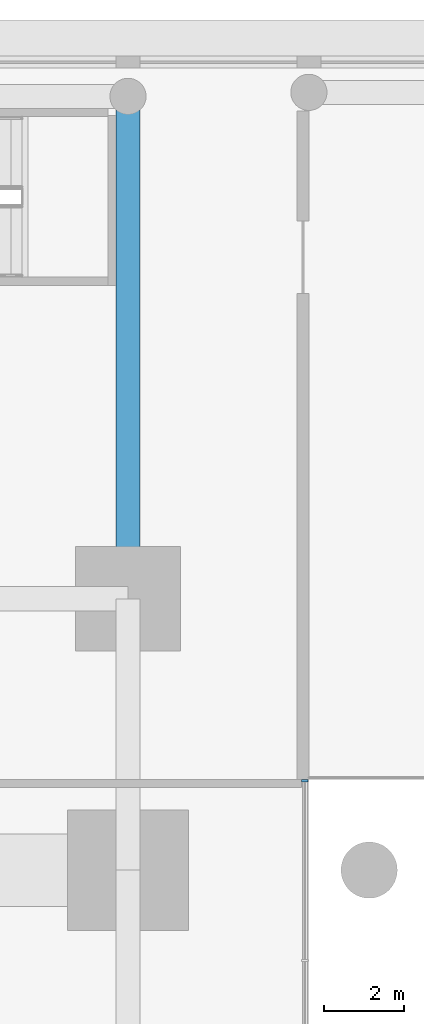
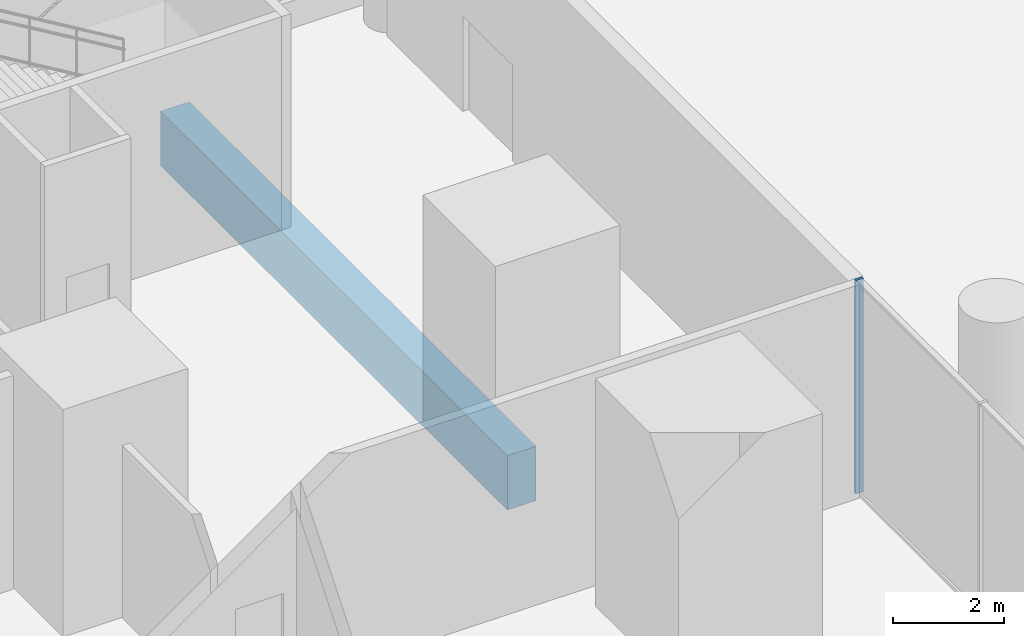
# One storey, part 5 of 21: 1 beam, 1 member, 1 element without a shape of its own.
"""IFC4 building model written with IfcOpenShell, lengths in metres."""

import ifcopenshell
import ifcopenshell.guid

model = None  # the IFC model being written
_history = None  # IfcOwnerHistory: only IFC2X3 demands one
_inside = {}  # id of a spatial element -> (the spatial element, [elements in it])
_under = {}  # id of a project, library or spatial element -> (it, [spatial elements below it])
_declared = {}  # id of a project -> (the project, [libraries it declares])
_typed = {}  # id of a type object -> (the type object, [elements of that type])
_made_of = {}  # id of a material, layer set ... -> (it, [elements and type objects made of it])


def new_model(schema):
    """Start an empty IFC model of exactly this schema.

    Asked for "IFC4X3", IfcOpenShell would pick the latest addendum, in which some entities
    have other attributes; the version numbers below select the first issue.
    IFC2X3 requires an IfcOwnerHistory on every rooted entity: one is made here for all.
    """
    global model, _history
    if schema == "IFC4X3":
        model = ifcopenshell.file(schema_version=(4, 3, 0, 0))
    else:
        model = ifcopenshell.file(schema=schema)
    _inside.clear()
    _under.clear()
    _declared.clear()
    _typed.clear()
    _made_of.clear()
    _history = None
    if model.schema == "IFC2X3":
        org = make("IfcOrganization", Name="unknown")
        user = make(
            "IfcPersonAndOrganization",
            ThePerson=make("IfcPerson", FamilyName="unknown"),
            TheOrganization=org,
        )
        app = make(
            "IfcApplication",
            ApplicationDeveloper=org,
            Version="unknown",
            ApplicationFullName="unknown",
            ApplicationIdentifier="unknown",
        )
        _history = make(
            "IfcOwnerHistory",
            OwningUser=user,
            OwningApplication=app,
            ChangeAction="ADDED",
            CreationDate=0,
        )
    return model


def make(cls, **values):
    """One entity of the class cls with the attributes given. An attribute that is None is left unset."""
    return model.create_entity(
        cls, **{name: value for name, value in values.items() if value is not None}
    )


def rooted(cls, **values):
    """An entity with a GlobalId (a new one), such as an element, a storey or a relation."""
    return make(cls, GlobalId=ifcopenshell.guid.new(), OwnerHistory=_history, **values)


def si_unit(unit_type, name, prefix=None):
    """IfcSIUnit, for example si_unit("LENGTHUNIT", "METRE", prefix="MILLI")."""
    return make("IfcSIUnit", UnitType=unit_type, Prefix=prefix, Name=name)


def assignment(units):
    """IfcUnitAssignment: the units of a project."""
    return None if units is None else make("IfcUnitAssignment", Units=units)


def point(xyz):
    """IfcCartesianPoint."""
    return None if xyz is None else make("IfcCartesianPoint", Coordinates=xyz)


def direction(xyz):
    """IfcDirection."""
    return None if xyz is None else make("IfcDirection", DirectionRatios=xyz)


def frame(location, z_axis=None, x_axis=None):
    """IfcAxis2Placement3D, a coordinate frame: its origin and axes. An axis left out is left unset."""
    return make(
        "IfcAxis2Placement3D",
        Location=point(location),
        Axis=direction(z_axis),
        RefDirection=direction(x_axis),
    )


def frame_2d(location, x_axis=None):
    """IfcAxis2Placement2D, a coordinate frame in the plane: its origin and x axis."""
    return make(
        "IfcAxis2Placement2D", Location=point(location), RefDirection=direction(x_axis)
    )


def origin():
    """The frame at (0, 0, 0) with its axes left unset."""
    return frame((0.0, 0.0, 0.0))


def origin_2d():
    """The frame at (0, 0) in the plane with its x axis left unset."""
    return frame_2d((0.0, 0.0))


def place(relative_to, where):
    """IfcLocalPlacement: puts the frame where relative to a parent placement (None: the world)."""
    return make(
        "IfcLocalPlacement", PlacementRelTo=relative_to, RelativePlacement=where
    )


def context(
    kind, dimensions, precision=None, world=None, true_north=None, identifier=None
):
    """IfcGeometricRepresentationContext, for example the 3D "Model" context."""
    return make(
        "IfcGeometricRepresentationContext",
        ContextIdentifier=identifier,
        ContextType=kind,
        CoordinateSpaceDimension=dimensions,
        Precision=precision,
        WorldCoordinateSystem=world,
        TrueNorth=true_north,
    )


def subcontext(parent, identifier, kind, view, scale=None):
    """IfcGeometricRepresentationSubContext, for example "Body" below "Model"."""
    return make(
        "IfcGeometricRepresentationSubContext",
        ContextIdentifier=identifier,
        ContextType=kind,
        ParentContext=parent,
        TargetScale=scale,
        TargetView=view,
    )


def project(units=None, contexts=None):
    """IfcProject with its units and contexts."""
    return rooted(
        "IfcProject",
        Name="project",
        RepresentationContexts=contexts,
        UnitsInContext=assignment(units),
    )


def spatial(cls, under=None, at=None, **own):
    """A site, building, storey or space (cls), placed at a placement, below another one or the project."""
    s = rooted(cls, ObjectPlacement=at, **own)
    if under is not None:
        _under.setdefault(under.id(), (under, []))[1].append(s)
    return s


def profile(cls, at=None, kind="AREA", **sizes):
    """A parametric profile (cls). Its sizes go by their IFC names, for example OverallWidth=200.0."""
    return make(cls, ProfileType=kind, Position=at, **sizes)


def rectangle(**sizes):
    """IfcRectangleProfileDef."""
    return profile("IfcRectangleProfileDef", **sizes)


def extrude(swept, where, along, depth):
    """IfcExtrudedAreaSolid: the profile swept, set in the frame where, extruded along a direction by depth."""
    return make(
        "IfcExtrudedAreaSolid",
        SweptArea=swept,
        Position=where,
        ExtrudedDirection=direction(along),
        Depth=depth,
    )


def shape(context_of_items, identifier, shape_type, items):
    """IfcShapeRepresentation: the items that make up one representation, for example the "Body"."""
    return make(
        "IfcShapeRepresentation",
        ContextOfItems=context_of_items,
        RepresentationIdentifier=identifier,
        RepresentationType=shape_type,
        Items=items,
    )


def material(Name=None, Category=None):
    """IfcMaterial."""
    return make("IfcMaterial", Name=Name, Category=Category)


def layer(
    of_material, thickness, ventilated=None, Name=None, Category=None, Priority=None
):
    """IfcMaterialLayer: one layer of a wall or slab, of a material (None: an air gap)."""
    return make(
        "IfcMaterialLayer",
        Material=of_material,
        LayerThickness=thickness,
        IsVentilated=ventilated,
        Name=Name,
        Category=Category,
        Priority=Priority,
    )


def layer_set(layers, Name=None):
    """IfcMaterialLayerSet."""
    return make("IfcMaterialLayerSet", MaterialLayers=layers, LayerSetName=Name)


def material_profile(
    of_material, cross_section, Name=None, Category=None, Priority=None
):
    """IfcMaterialProfile: a cross section and its material."""
    return make(
        "IfcMaterialProfile",
        Name=Name,
        Material=of_material,
        Profile=cross_section,
        Priority=Priority,
        Category=Category,
    )


def profile_set(profiles, Name=None, composite=None):
    """IfcMaterialProfileSet."""
    return make(
        "IfcMaterialProfileSet",
        Name=Name,
        MaterialProfiles=profiles,
        CompositeProfile=composite,
    )


def made_of(thing, what):
    """Note that an element or type object is made of a material, layer set ...; save() writes the relation."""
    if what is not None:
        _made_of.setdefault(what.id(), (what, []))[1].append(thing)
    return thing


def type_object(cls, material=None, **own):
    """A type object (cls), such as IfcWallType, which elements share."""
    return made_of(rooted(cls, **own), material)


def element(
    cls,
    number,
    at=None,
    inside=None,
    cuts=None,
    type_object=None,
    material=None,
    context=None,
    identifier="Body",
    shape_type=None,
    held_by="IfcProductDefinitionShape",
    body=None,
    shapes=None,
    **own,
):
    """One element of the class cls, such as IfcWall. Its Tag is "e" and its number.

    at: its placement. inside: the storey or other place that contains it. cuts: it is an
    opening in that element (IfcRelVoidsElement). A single representation is given by context,
    identifier, shape_type and body (its items); several are given by shapes. held_by: the class
    of the entity that holds the representations. save() writes the other relations.
    """
    e = rooted(cls, Tag="e%d" % number, ObjectPlacement=at, **own)
    if body is not None:
        shapes = [shape(context, identifier, shape_type, body)]
    if shapes is not None:
        e.Representation = make(held_by, Representations=shapes)
    if inside is not None:
        _inside.setdefault(inside.id(), (inside, []))[1].append(e)
    if cuts is not None:
        rooted(
            "IfcRelVoidsElement", RelatingBuildingElement=cuts, RelatedOpeningElement=e
        )
    if type_object is not None:
        _typed.setdefault(type_object.id(), (type_object, []))[1].append(e)
    return made_of(e, material)


def aggregate(whole, parts):
    """IfcRelAggregates: a whole, such as a stair, and the parts it consists of."""
    return rooted("IfcRelAggregates", RelatingObject=whole, RelatedObjects=parts)


def save(model, path):
    """Write the relations noted so far, then the file.

    IfcRelAggregates (storeys below a building ...), IfcRelContainedInSpatialStructure (elements
    in a storey), IfcRelDefinesByType, IfcRelAssociatesMaterial and IfcRelDeclares: one each for
    every whole, place, type object, material and project.
    """
    for whole, parts in _under.values():
        aggregate(whole, parts)
    for where, things in _inside.values():
        rooted(
            "IfcRelContainedInSpatialStructure",
            RelatedElements=things,
            RelatingStructure=where,
        )
    for kind, things in _typed.values():
        rooted("IfcRelDefinesByType", RelatedObjects=things, RelatingType=kind)
    for what, things in _made_of.values():
        rooted("IfcRelAssociatesMaterial", RelatedObjects=things, RelatingMaterial=what)
    for by, libraries in _declared.values():
        rooted("IfcRelDeclares", RelatingContext=by, RelatedDefinitions=libraries)
    model.write(path)


model = new_model("IFC4")

# Units and contexts
model_context = context("Model", 3, precision=1e-05, world=origin(), true_north=direction((0.0, 1.0)))
body_context = subcontext(model_context, "Body", "Model", "MODEL_VIEW")
ifc_project = project(units=[si_unit("LENGTHUNIT", "METRE"), si_unit("AREAUNIT", "SQUARE_METRE"), si_unit("VOLUMEUNIT", "CUBIC_METRE"), si_unit("PLANEANGLEUNIT", "RADIAN"), si_unit("MASSUNIT", "GRAM", prefix="KILO")], contexts=[model_context])

# Site, building, storey
site_placement = place(None, origin())
site = spatial("IfcSite", under=ifc_project, at=site_placement, CompositionType="ELEMENT")
building_placement = place(site_placement, origin())
building = spatial("IfcBuilding", under=site, at=building_placement, Name="Namib Vertical Campus", CompositionType="ELEMENT")
storey_placement = place(building_placement, frame((0.0, 0.0, 6.0)))
storey = spatial("IfcBuildingStorey", under=building, at=storey_placement, Name="L01", CompositionType="ELEMENT", Elevation=6.0)

# Curtain wall, member
ifc_material_1 = material(Name="Black aluminium curtain wall", Category="aluminium")
ifc_layer = layer(ifc_material_1, 0.199951171875)
ifc_layer_set = layer_set([ifc_layer], Name="Atrium screen curtain wall CW-AT")
curtain_wall_type = type_object("IfcCurtainWallType", Name="Atrium screen curtain wall CW-AT", PredefinedType="USERDEFINED", material=ifc_layer_set)
curtain_wall_placement = place(storey_placement, origin())
curtain_wall = element("IfcCurtainWall", 1, at=curtain_wall_placement, inside=storey, type_object=curtain_wall_type, Name="Curtain wall CW-AT atrium A L01 1", ObjectType="CURTAIN WALL", PredefinedType="USERDEFINED")
ifc_material_2 = material(Name="Black anodised aluminium", Category="aluminium")
ifc_material_profile_1 = material_profile(ifc_material_2, rectangle(XDim=0.06005859375, YDim=0.159912109375, at=origin_2d()))
ifc_profile_set_1 = profile_set([ifc_material_profile_1], Name="Black anodised aluminium")
member_type = type_object("IfcMemberType", Name="Curtain wall mullion 60x160", PredefinedType="MULLION", material=ifc_profile_set_1)
member_placement = place(storey_placement, frame((40.39990234375, 31.469970703125, 0.0), z_axis=(0.0, 0.0, 1.0), x_axis=(0.0, 1.0, 0.0)))
member = element("IfcMember", 2, at=member_placement, type_object=member_type, Name="CW-AT mullion 6", PredefinedType="MULLION", context=body_context, shape_type="SweptSolid", body=[
    extrude(rectangle(XDim=0.06005859375, YDim=0.159912109375, at=origin_2d()), origin(), (0.0, 0.0, 1.0), 4.699951171875),
])
aggregate(curtain_wall, [member])

# Beam
ifc_material_3 = material(Name="Concrete C40/50", Category="concrete")
ifc_material_profile_2 = material_profile(ifc_material_3, rectangle(XDim=0.60009765625, YDim=1.199951171875, at=origin_2d()))
ifc_profile_set_2 = profile_set([ifc_material_profile_2], Name="Concrete C40/50")
beam_type = type_object("IfcBeamType", Name="Long-span podium beam RC 600x1200", PredefinedType="BEAM", material=ifc_profile_set_2)
beam_placement = place(storey_placement, frame((36.0, 36.0, -0.89990234375), z_axis=(0.0, 1.0, 0.0), x_axis=(-1.0, 0.0, 0.0)))
element("IfcBeam", 3, at=beam_placement, inside=storey, type_object=beam_type, Name="Beam PB4 L01", PredefinedType="BEAM", context=body_context, shape_type="SweptSolid", body=[
    extrude(rectangle(XDim=0.60009765625, YDim=1.199951171875, at=origin_2d()), origin(), (0.0, 0.0, 1.0), 12.5),
])

save(model, "model.ifc")
